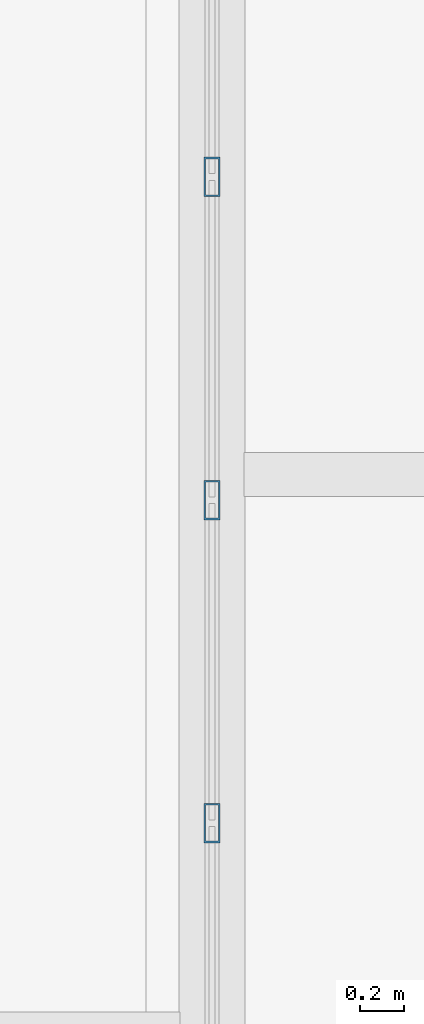
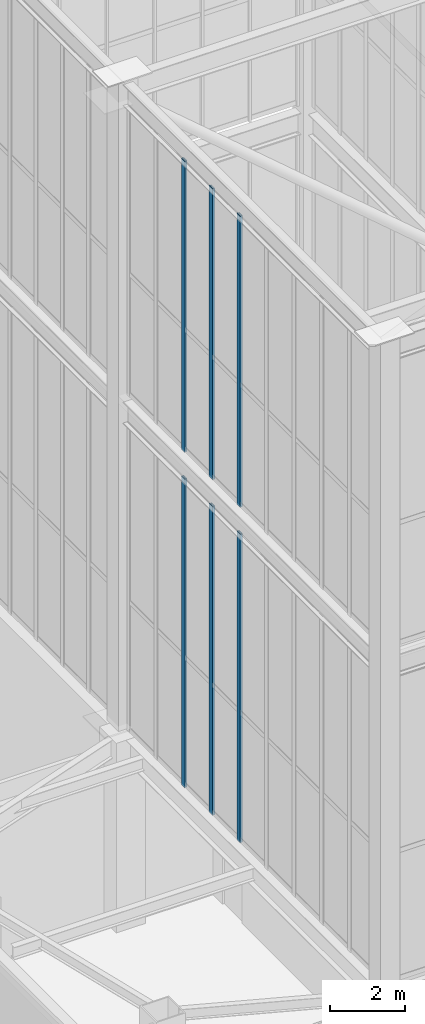
# One storey, part 7 of 135: 6 members, 2 elements without a shape of their own.
"""IFC4 building model written with IfcOpenShell, lengths in metres."""

from ifc_helpers import new_model, si_unit, direction, frame, origin, origin_2d, place, context, subcontext, project, spatial, hollow_rectangle, extrude, source, transform, mapped, material, layer, layer_set, material_profile, profile_set, type_object, element, aggregate, save


model = new_model("IFC4")

# Units and contexts
model_context = context("Model", 3, precision=1e-05, world=origin(), true_north=direction((0.0, 1.0)))
body_context = subcontext(model_context, "Body", "Model", "MODEL_VIEW")
ifc_project = project(units=[si_unit("LENGTHUNIT", "METRE"), si_unit("AREAUNIT", "SQUARE_METRE"), si_unit("VOLUMEUNIT", "CUBIC_METRE"), si_unit("PLANEANGLEUNIT", "RADIAN"), si_unit("MASSUNIT", "GRAM", prefix="KILO")], contexts=[model_context])

# Site, building, storey
site_placement = place(None, origin())
site = spatial("IfcSite", under=ifc_project, at=site_placement, CompositionType="ELEMENT")
building_placement = place(site_placement, origin())
building = spatial("IfcBuilding", under=site, at=building_placement, Name="Giltprow Tower", CompositionType="ELEMENT")
storey_placement = place(building_placement, frame((0.0, 0.0, 352.699951171875)))
storey = spatial("IfcBuildingStorey", under=building, at=storey_placement, Name="L92", CompositionType="ELEMENT", Elevation=352.699951171875)

# Curtain wall, members
ifc_material = material(Name="Anodized bronze", Category="metal")
ifc_layer = layer(ifc_material, 0.179931640625, Name="Anodized bronze")
ifc_layer_set = layer_set([ifc_layer], Name="Anodized bronze")
curtain_wall_type = type_object("IfcCurtainWallType", Name="CW-CROWN-LANTERN", PredefinedType="NOTDEFINED", material=ifc_layer_set)
curtain_wall_1_placement = place(storey_placement, origin())
curtain_wall_1 = element("IfcCurtainWall", 1, at=curtain_wall_1_placement, inside=storey, type_object=curtain_wall_type, Name="Crown West Lower Lantern Glazing 6", PredefinedType="NOTDEFINED")
ifc_material_profile = material_profile(ifc_material, hollow_rectangle(XDim=0.074951171875, YDim=0.179931640625, WallThickness=0.008056640625, at=origin_2d()), Name="RHS 180x75x8")
ifc_profile_set = profile_set([ifc_material_profile], Name="Anodized bronze")
member_type = type_object("IfcMemberType", Name="CW-MULLION-180x75", PredefinedType="MULLION", material=ifc_profile_set)
shared_shape_1 = source(origin(), body_context, "Body", "SweptSolid", [
    extrude(hollow_rectangle(XDim=0.074951171875, YDim=0.179931640625, WallThickness=0.008056640625, at=origin_2d()), origin(), (0.0, 0.0, 1.0), 10.030029296875),
])
member_1_placement = place(storey_placement, frame((19.85009765625, 34.156005859375, 6.35009765625), z_axis=(0.0, 0.0, 1.0), x_axis=(1.0, 0.0, 0.0)))
member_1 = element("IfcMember", 2, at=member_1_placement, type_object=member_type, Name="Crown West Lower Lantern Glazing 6 Mullion 3", PredefinedType="MULLION", context=body_context, shape_type="MappedRepresentation", body=[
    mapped(shared_shape_1, transform((0.0, 0.0, 0.0), x_axis=(1.0, 0.0, 0.0), y_axis=(0.0, 1.0, 0.0), z_axis=(0.0, 0.0, 1.0), scale=1.0)),
])
member_2_placement = place(storey_placement, frame((19.85009765625, 32.68310546875, 6.35009765625), z_axis=(0.0, 0.0, 1.0), x_axis=(1.0, 0.0, 0.0)))
member_2 = element("IfcMember", 3, at=member_2_placement, type_object=member_type, Name="Crown West Lower Lantern Glazing 6 Mullion 4", PredefinedType="MULLION", context=body_context, shape_type="MappedRepresentation", body=[
    mapped(shared_shape_1, transform((0.0, 0.0, 0.0), x_axis=(1.0, 0.0, 0.0), y_axis=(0.0, 1.0, 0.0), z_axis=(0.0, 0.0, 1.0), scale=1.0)),
])
member_3_placement = place(storey_placement, frame((19.85009765625, 31.2109375, 6.35009765625), z_axis=(0.0, 0.0, 1.0), x_axis=(1.0, 0.0, 0.0)))
member_3 = element("IfcMember", 4, at=member_3_placement, type_object=member_type, Name="Crown West Lower Lantern Glazing 6 Mullion 5", PredefinedType="MULLION", context=body_context, shape_type="MappedRepresentation", body=[
    mapped(shared_shape_1, transform((0.0, 0.0, 0.0), x_axis=(1.0, 0.0, 0.0), y_axis=(0.0, 1.0, 0.0), z_axis=(0.0, 0.0, 1.0), scale=1.0)),
])
aggregate(curtain_wall_1, [member_1, member_2, member_3])

curtain_wall_2_placement = place(storey_placement, origin())
curtain_wall_2 = element("IfcCurtainWall", 5, at=curtain_wall_2_placement, inside=storey, type_object=curtain_wall_type, Name="Crown West Upper Lantern Glazing 6", PredefinedType="NOTDEFINED")
shared_shape_2 = source(origin(), body_context, "Body", "SweptSolid", [
    extrude(hollow_rectangle(XDim=0.074951171875, YDim=0.179931640625, WallThickness=0.008056640625, at=origin_2d()), origin(), (0.0, 0.0, 1.0), 9.45703125),
])
member_4_placement = place(storey_placement, frame((19.85009765625, 34.156005859375, 17.25), z_axis=(0.0, 0.0, 1.0), x_axis=(1.0, 0.0, 0.0)))
member_4 = element("IfcMember", 6, at=member_4_placement, type_object=member_type, Name="Crown West Upper Lantern Glazing 6 Mullion 3", PredefinedType="MULLION", context=body_context, shape_type="MappedRepresentation", body=[
    mapped(shared_shape_2, transform((0.0, 0.0, 0.0), x_axis=(1.0, 0.0, 0.0), y_axis=(0.0, 1.0, 0.0), z_axis=(0.0, 0.0, 1.0), scale=1.0)),
])
member_5_placement = place(storey_placement, frame((19.85009765625, 32.68310546875, 17.25), z_axis=(0.0, 0.0, 1.0), x_axis=(1.0, 0.0, 0.0)))
member_5 = element("IfcMember", 7, at=member_5_placement, type_object=member_type, Name="Crown West Upper Lantern Glazing 6 Mullion 4", PredefinedType="MULLION", context=body_context, shape_type="MappedRepresentation", body=[
    mapped(shared_shape_2, transform((0.0, 0.0, 0.0), x_axis=(1.0, 0.0, 0.0), y_axis=(0.0, 1.0, 0.0), z_axis=(0.0, 0.0, 1.0), scale=1.0)),
])
member_6_placement = place(storey_placement, frame((19.85009765625, 31.2109375, 17.25), z_axis=(0.0, 0.0, 1.0), x_axis=(1.0, 0.0, 0.0)))
member_6 = element("IfcMember", 8, at=member_6_placement, type_object=member_type, Name="Crown West Upper Lantern Glazing 6 Mullion 5", PredefinedType="MULLION", context=body_context, shape_type="MappedRepresentation", body=[
    mapped(shared_shape_2, transform((0.0, 0.0, 0.0), x_axis=(1.0, 0.0, 0.0), y_axis=(0.0, 1.0, 0.0), z_axis=(0.0, 0.0, 1.0), scale=1.0)),
])
aggregate(curtain_wall_2, [member_4, member_5, member_6])

save(model, "model.ifc")
